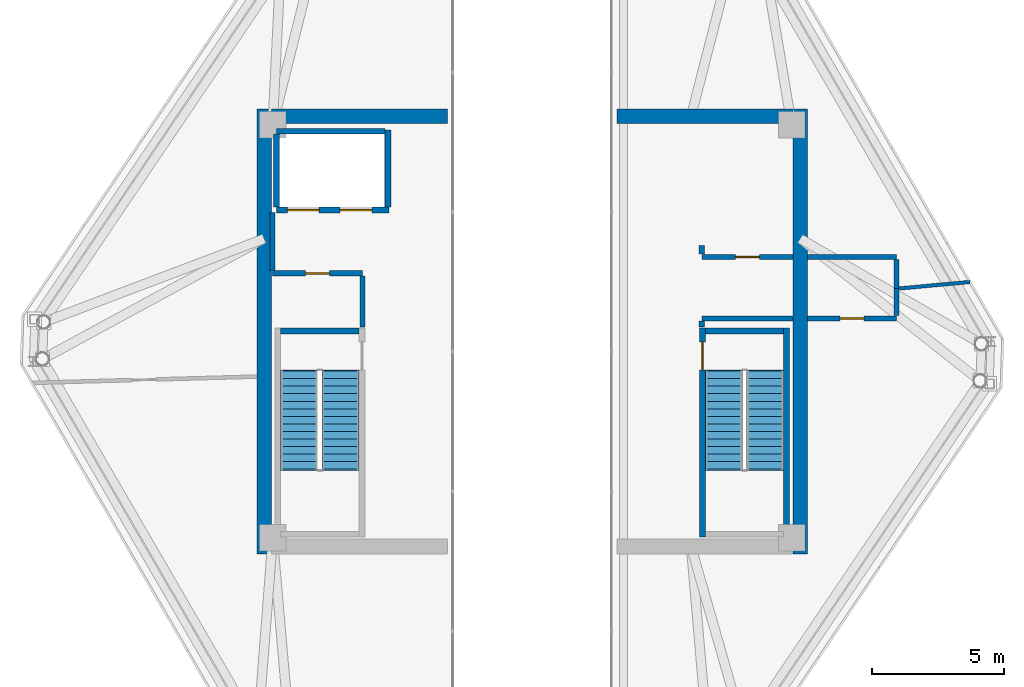
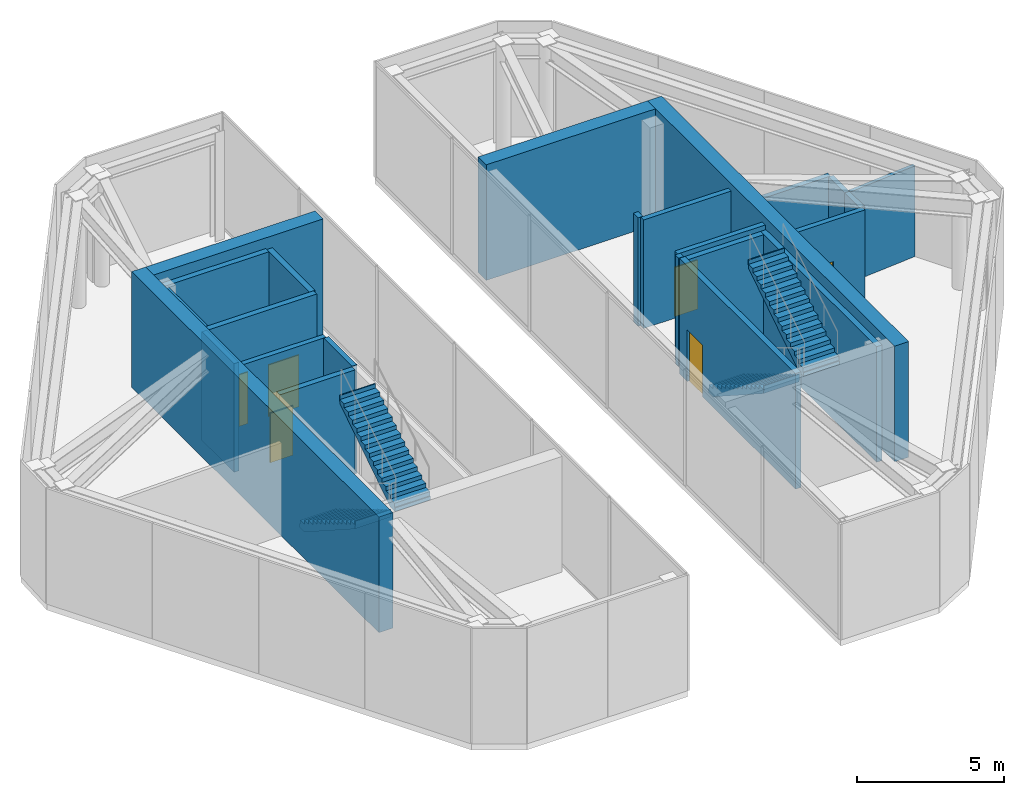
# One storey, part 7 of 8: 24 walls, 6 doors, 4 stair flights, 6 openings, 2 elements without a shape of their own.
"""IFC4 building model written with IfcOpenShell, lengths in metres."""

import ifcopenshell
import ifcopenshell.guid

model = None  # the IFC model being written
_history = None  # IfcOwnerHistory: only IFC2X3 demands one
_inside = {}  # id of a spatial element -> (the spatial element, [elements in it])
_under = {}  # id of a project, library or spatial element -> (it, [spatial elements below it])
_declared = {}  # id of a project -> (the project, [libraries it declares])
_typed = {}  # id of a type object -> (the type object, [elements of that type])
_made_of = {}  # id of a material, layer set ... -> (it, [elements and type objects made of it])


def new_model(schema):
    """Start an empty IFC model of exactly this schema.

    Asked for "IFC4X3", IfcOpenShell would pick the latest addendum, in which some entities
    have other attributes; the version numbers below select the first issue.
    IFC2X3 requires an IfcOwnerHistory on every rooted entity: one is made here for all.
    """
    global model, _history
    if schema == "IFC4X3":
        model = ifcopenshell.file(schema_version=(4, 3, 0, 0))
    else:
        model = ifcopenshell.file(schema=schema)
    _inside.clear()
    _under.clear()
    _declared.clear()
    _typed.clear()
    _made_of.clear()
    _history = None
    if model.schema == "IFC2X3":
        org = make("IfcOrganization", Name="unknown")
        user = make(
            "IfcPersonAndOrganization",
            ThePerson=make("IfcPerson", FamilyName="unknown"),
            TheOrganization=org,
        )
        app = make(
            "IfcApplication",
            ApplicationDeveloper=org,
            Version="unknown",
            ApplicationFullName="unknown",
            ApplicationIdentifier="unknown",
        )
        _history = make(
            "IfcOwnerHistory",
            OwningUser=user,
            OwningApplication=app,
            ChangeAction="ADDED",
            CreationDate=0,
        )
    return model


def make(cls, **values):
    """One entity of the class cls with the attributes given. An attribute that is None is left unset."""
    return model.create_entity(
        cls, **{name: value for name, value in values.items() if value is not None}
    )


def rooted(cls, **values):
    """An entity with a GlobalId (a new one), such as an element, a storey or a relation."""
    return make(cls, GlobalId=ifcopenshell.guid.new(), OwnerHistory=_history, **values)


def si_unit(unit_type, name, prefix=None):
    """IfcSIUnit, for example si_unit("LENGTHUNIT", "METRE", prefix="MILLI")."""
    return make("IfcSIUnit", UnitType=unit_type, Prefix=prefix, Name=name)


def assignment(units):
    """IfcUnitAssignment: the units of a project."""
    return None if units is None else make("IfcUnitAssignment", Units=units)


def point(xyz):
    """IfcCartesianPoint."""
    return None if xyz is None else make("IfcCartesianPoint", Coordinates=xyz)


def direction(xyz):
    """IfcDirection."""
    return None if xyz is None else make("IfcDirection", DirectionRatios=xyz)


def frame(location, z_axis=None, x_axis=None):
    """IfcAxis2Placement3D, a coordinate frame: its origin and axes. An axis left out is left unset."""
    return make(
        "IfcAxis2Placement3D",
        Location=point(location),
        Axis=direction(z_axis),
        RefDirection=direction(x_axis),
    )


def frame_2d(location, x_axis=None):
    """IfcAxis2Placement2D, a coordinate frame in the plane: its origin and x axis."""
    return make(
        "IfcAxis2Placement2D", Location=point(location), RefDirection=direction(x_axis)
    )


def origin():
    """The frame at (0, 0, 0) with its axes left unset."""
    return frame((0.0, 0.0, 0.0))


def place(relative_to, where):
    """IfcLocalPlacement: puts the frame where relative to a parent placement (None: the world)."""
    return make(
        "IfcLocalPlacement", PlacementRelTo=relative_to, RelativePlacement=where
    )


def context(
    kind, dimensions, precision=None, world=None, true_north=None, identifier=None
):
    """IfcGeometricRepresentationContext, for example the 3D "Model" context."""
    return make(
        "IfcGeometricRepresentationContext",
        ContextIdentifier=identifier,
        ContextType=kind,
        CoordinateSpaceDimension=dimensions,
        Precision=precision,
        WorldCoordinateSystem=world,
        TrueNorth=true_north,
    )


def subcontext(parent, identifier, kind, view, scale=None):
    """IfcGeometricRepresentationSubContext, for example "Body" below "Model"."""
    return make(
        "IfcGeometricRepresentationSubContext",
        ContextIdentifier=identifier,
        ContextType=kind,
        ParentContext=parent,
        TargetScale=scale,
        TargetView=view,
    )


def project(units=None, contexts=None):
    """IfcProject with its units and contexts."""
    return rooted(
        "IfcProject",
        Name="project",
        RepresentationContexts=contexts,
        UnitsInContext=assignment(units),
    )


def spatial(cls, under=None, at=None, **own):
    """A site, building, storey or space (cls), placed at a placement, below another one or the project."""
    s = rooted(cls, ObjectPlacement=at, **own)
    if under is not None:
        _under.setdefault(under.id(), (under, []))[1].append(s)
    return s


def polyline(points):
    """IfcPolyline through the points."""
    return make("IfcPolyline", Points=[point(p) for p in points])


def profile(cls, at=None, kind="AREA", **sizes):
    """A parametric profile (cls). Its sizes go by their IFC names, for example OverallWidth=200.0."""
    return make(cls, ProfileType=kind, Position=at, **sizes)


def rectangle(**sizes):
    """IfcRectangleProfileDef."""
    return profile("IfcRectangleProfileDef", **sizes)


def outline(outer, holes=None, kind="AREA"):
    """IfcArbitraryClosedProfileDef: a profile drawn as a closed curve; with holes, ...WithVoids."""
    if holes is None:
        return make("IfcArbitraryClosedProfileDef", ProfileType=kind, OuterCurve=outer)
    return make(
        "IfcArbitraryProfileDefWithVoids",
        ProfileType=kind,
        OuterCurve=outer,
        InnerCurves=holes,
    )


def extrude(swept, where, along, depth):
    """IfcExtrudedAreaSolid: the profile swept, set in the frame where, extruded along a direction by depth."""
    return make(
        "IfcExtrudedAreaSolid",
        SweptArea=swept,
        Position=where,
        ExtrudedDirection=direction(along),
        Depth=depth,
    )


def shape(context_of_items, identifier, shape_type, items):
    """IfcShapeRepresentation: the items that make up one representation, for example the "Body"."""
    return make(
        "IfcShapeRepresentation",
        ContextOfItems=context_of_items,
        RepresentationIdentifier=identifier,
        RepresentationType=shape_type,
        Items=items,
    )


def source(mapping_origin, context_of_items, identifier, shape_type, items):
    """IfcRepresentationMap: a shape defined once, which mapped items show again and again."""
    return make(
        "IfcRepresentationMap",
        MappingOrigin=mapping_origin,
        MappedRepresentation=shape(context_of_items, identifier, shape_type, items),
    )


def transform(
    local_origin,
    x_axis=None,
    y_axis=None,
    z_axis=None,
    scale=None,
    scale2=None,
    scale3=None,
    uniform=True,
):
    """IfcCartesianTransformationOperator3D, or its non-uniform kind. x_axis, y_axis, z_axis: its Axis1, 2, 3."""
    if uniform:
        return make(
            "IfcCartesianTransformationOperator3D",
            Axis1=direction(x_axis),
            Axis2=direction(y_axis),
            LocalOrigin=point(local_origin),
            Scale=scale,
            Axis3=direction(z_axis),
        )
    return make(
        "IfcCartesianTransformationOperator3DnonUniform",
        Axis1=direction(x_axis),
        Axis2=direction(y_axis),
        LocalOrigin=point(local_origin),
        Scale=scale,
        Axis3=direction(z_axis),
        Scale2=scale2,
        Scale3=scale3,
    )


def mapped(mapping_source, mapping_target):
    """IfcMappedItem: shows the shape of a source again, moved by a transform."""
    return make(
        "IfcMappedItem", MappingSource=mapping_source, MappingTarget=mapping_target
    )


def material(Name=None, Category=None):
    """IfcMaterial."""
    return make("IfcMaterial", Name=Name, Category=Category)


def layer(
    of_material, thickness, ventilated=None, Name=None, Category=None, Priority=None
):
    """IfcMaterialLayer: one layer of a wall or slab, of a material (None: an air gap)."""
    return make(
        "IfcMaterialLayer",
        Material=of_material,
        LayerThickness=thickness,
        IsVentilated=ventilated,
        Name=Name,
        Category=Category,
        Priority=Priority,
    )


def layer_set(layers, Name=None):
    """IfcMaterialLayerSet."""
    return make("IfcMaterialLayerSet", MaterialLayers=layers, LayerSetName=Name)


def made_of(thing, what):
    """Note that an element or type object is made of a material, layer set ...; save() writes the relation."""
    if what is not None:
        _made_of.setdefault(what.id(), (what, []))[1].append(thing)
    return thing


def type_object(cls, material=None, **own):
    """A type object (cls), such as IfcWallType, which elements share."""
    return made_of(rooted(cls, **own), material)


def type_shapes(of_type, sources):
    """Give a type object the sources (RepresentationMaps) that its elements show as mapped items."""
    of_type.RepresentationMaps = sources


def element(
    cls,
    number,
    at=None,
    inside=None,
    cuts=None,
    type_object=None,
    material=None,
    context=None,
    identifier="Body",
    shape_type=None,
    held_by="IfcProductDefinitionShape",
    body=None,
    shapes=None,
    **own,
):
    """One element of the class cls, such as IfcWall. Its Tag is "e" and its number.

    at: its placement. inside: the storey or other place that contains it. cuts: it is an
    opening in that element (IfcRelVoidsElement). A single representation is given by context,
    identifier, shape_type and body (its items); several are given by shapes. held_by: the class
    of the entity that holds the representations. save() writes the other relations.
    """
    e = rooted(cls, Tag="e%d" % number, ObjectPlacement=at, **own)
    if body is not None:
        shapes = [shape(context, identifier, shape_type, body)]
    if shapes is not None:
        e.Representation = make(held_by, Representations=shapes)
    if inside is not None:
        _inside.setdefault(inside.id(), (inside, []))[1].append(e)
    if cuts is not None:
        rooted(
            "IfcRelVoidsElement", RelatingBuildingElement=cuts, RelatedOpeningElement=e
        )
    if type_object is not None:
        _typed.setdefault(type_object.id(), (type_object, []))[1].append(e)
    return made_of(e, material)


def fill(opening, filler):
    """IfcRelFillsElement: the door or window that sits in an opening."""
    return rooted(
        "IfcRelFillsElement",
        RelatingOpeningElement=opening,
        RelatedBuildingElement=filler,
    )


def aggregate(whole, parts):
    """IfcRelAggregates: a whole, such as a stair, and the parts it consists of."""
    return rooted("IfcRelAggregates", RelatingObject=whole, RelatedObjects=parts)


def save(model, path):
    """Write the relations noted so far, then the file.

    IfcRelAggregates (storeys below a building ...), IfcRelContainedInSpatialStructure (elements
    in a storey), IfcRelDefinesByType, IfcRelAssociatesMaterial and IfcRelDeclares: one each for
    every whole, place, type object, material and project.
    """
    for whole, parts in _under.values():
        aggregate(whole, parts)
    for where, things in _inside.values():
        rooted(
            "IfcRelContainedInSpatialStructure",
            RelatedElements=things,
            RelatingStructure=where,
        )
    for kind, things in _typed.values():
        rooted("IfcRelDefinesByType", RelatedObjects=things, RelatingType=kind)
    for what, things in _made_of.values():
        rooted("IfcRelAssociatesMaterial", RelatedObjects=things, RelatingMaterial=what)
    for by, libraries in _declared.values():
        rooted("IfcRelDeclares", RelatingContext=by, RelatedDefinitions=libraries)
    model.write(path)


model = new_model("IFC4")

# Units and contexts
model_context = context("Model", 3, precision=1e-05, world=origin(), true_north=direction((0.0, 1.0)))
body_context = subcontext(model_context, "Body", "Model", "MODEL_VIEW")
ifc_project = project(units=[si_unit("LENGTHUNIT", "METRE"), si_unit("AREAUNIT", "SQUARE_METRE"), si_unit("VOLUMEUNIT", "CUBIC_METRE"), si_unit("PLANEANGLEUNIT", "RADIAN"), si_unit("MASSUNIT", "GRAM", prefix="KILO")], contexts=[model_context])

# Site, building, storey
site_placement = place(None, origin())
site = spatial("IfcSite", under=ifc_project, at=site_placement, CompositionType="ELEMENT")
building_placement = place(site_placement, origin())
building = spatial("IfcBuilding", under=site, at=building_placement, Name="Durnholm Broadcast Tower", CompositionType="ELEMENT")
storey_placement = place(building_placement, frame((0.0, 0.0, 277.300048828125)))
storey = spatial("IfcBuildingStorey", under=building, at=storey_placement, Name="L77", CompositionType="ELEMENT", Elevation=277.300048828125)

# Walls
ifc_material_1 = material(Name="Concrete C70/85", Category="concrete")
ifc_layer_1 = layer(ifc_material_1, 0.550048828125)
ifc_layer_set_1 = layer_set([ifc_layer_1], Name="Concrete C70/85")
wall_type_1 = type_object("IfcWallType", Name="WALL-CW-550", PredefinedType="SHEAR", material=ifc_layer_set_1)
for number, where, z_axis, x_axis, name in (
    (1, (-10.125, -8.39990234375, 0.0), (0.0, 0.0, 1.0), (0.0, 1.0, 0.0), "L77 split-crown core shear wall WCW-W"),
    (2, (10.125, -8.39990234375, 0.0), (0.0, 0.0, 1.0), (0.0, 1.0, 0.0), "L77 split-crown core shear wall WCW-E"),
):
    element("IfcWall", number, at=place(storey_placement, frame(where, z_axis=z_axis, x_axis=x_axis)), inside=storey, type_object=wall_type_1, Name=name, PredefinedType="SHEAR", context=body_context, shape_type="SweptSolid", body=[
        extrude(rectangle(XDim=16.7998046875, YDim=0.550048828125, at=frame_2d((8.39990234375, 0.0))), origin(), (0.0, 0.0, 1.0), 4.800048828125),
    ])
for number, where, z_axis, x_axis, name in (
    (3, (-9.85009765625, 8.125, 0.0), (0.0, 0.0, 1.0), (1.0, 0.0, 0.0), "L77 split-crown core shear wall WCW-NW"),
    (4, (3.199951171875, 8.125, 0.0), (0.0, 0.0, 1.0), (1.0, 0.0, 0.0), "L77 split-crown core shear wall WCW-NE"),
):
    element("IfcWall", number, at=place(storey_placement, frame(where, z_axis=z_axis, x_axis=x_axis)), inside=storey, type_object=wall_type_1, Name=name, PredefinedType="SHEAR", context=body_context, shape_type="SweptSolid", body=[
        extrude(rectangle(XDim=6.650146484375, YDim=0.550048828125, at=frame_2d((3.3251953125, 0.0))), origin(), (0.0, 0.0, 1.0), 4.800048828125),
    ])

# Wall, opening, door
ifc_material_2 = material(Name="Fire-Rated Gypsum Shaftwall", Category="concrete")
ifc_layer_2 = layer(ifc_material_2, 0.199951171875)
ifc_layer_set_2 = layer_set([ifc_layer_2], Name="Fire-Rated Gypsum Shaftwall")
wall_type_2 = type_object("IfcWallType", Name="WALL-LOB-200", PredefinedType="SOLIDWALL", material=ifc_layer_set_2)
wall_1_placement = place(storey_placement, frame((-9.81005859375, 2.18994140625, 0.0), z_axis=(0.0, 0.0, 1.0), x_axis=(1.0, 0.0, 0.0)))
wall_1 = element("IfcWall", 5, at=wall_1_placement, inside=storey, type_object=wall_type_2, Name="L77 Crown Chiller and Heat Rejection Plant corridor partition", PredefinedType="SOLIDWALL", context=body_context, shape_type="SweptSolid", body=[
    extrude(rectangle(XDim=3.400146484375, YDim=0.199951171875, at=frame_2d((1.7001953125, 0.0))), origin(), (0.0, 0.0, 1.0), 4.5048828125),
])
opening_1_placement = place(wall_1_placement, frame((1.25, 0.0, 0.0)))
opening_1 = element("IfcOpeningElement", 6, at=opening_1_placement, cuts=wall_1, Name="Opening DC-60L", PredefinedType="OPENING", context=body_context, shape_type="SweptSolid", body=[
    extrude(rectangle(XDim=0.89990234375, YDim=2.050048828125, at=frame_2d((0.449951171875, 1.02490234375))), frame((0.0, 0.10986328125, 0.0), z_axis=(0.0, -1.0, 0.0), x_axis=(1.0, 0.0, 0.0)), (0.0, 0.0, 1.0), 0.219970703125),
])
ifc_material_3 = material(Name="Fire-Rated Core Service Door", Category="steel")
ifc_layer_3 = layer(ifc_material_3, 0.050048828125)
ifc_layer_set_3 = layer_set([ifc_layer_3], Name="Fire-Rated Core Service Door")
door_type_1 = type_object("IfcDoorType", Name="DOOR-CORE-FD60-L", OperationType="NOTDEFINED", PredefinedType="DOOR", material=ifc_layer_set_3)
shared_shape_1 = source(origin(), body_context, "Body", "SweptSolid", [
    extrude(rectangle(XDim=0.89990234375, YDim=2.050048828125, at=frame_2d((0.449951171875, 1.02490234375))), frame((0.0, 0.02490234375, 0.0), z_axis=(0.0, -1.0, 0.0), x_axis=(1.0, 0.0, 0.0)), (0.0, 0.0, 1.0), 0.050048828125),
])
type_shapes(door_type_1, [shared_shape_1])
door_1_placement = place(opening_1_placement, origin())
door_1 = element("IfcDoor", 7, at=door_1_placement, inside=storey, type_object=door_type_1, Name="L77 Crown Chiller and Heat Rejection Plant entrance door", OperationType="SINGLE_SWING_LEFT", OverallHeight=2.050048828125, OverallWidth=0.89990234375, PredefinedType="DOOR", context=body_context, shape_type="MappedRepresentation", body=[
    mapped(shared_shape_1, transform((0.0, 0.0, 0.0), x_axis=(1.0, 0.0, 0.0), y_axis=(0.0, 1.0, 0.0), z_axis=(0.0, 0.0, 1.0), scale=1.0)),
])
fill(opening_1, door_1)

# Walls
wall_2_placement = place(storey_placement, frame((-9.81005859375, 4.489990234375, 0.0), z_axis=(0.0, 0.0, 1.0), x_axis=(0.0, -1.0, 0.0)))
element("IfcWall", 8, at=wall_2_placement, inside=storey, type_object=wall_type_2, Name="L77 Crown Chiller and Heat Rejection Plant corridor partition", PredefinedType="SOLIDWALL", context=body_context, shape_type="SweptSolid", body=[
    extrude(rectangle(XDim=2.196044921875, YDim=0.199951171875, at=frame_2d((1.09814453125, 0.0))), origin(), (0.0, 0.0, 1.0), 4.5048828125),
])
wall_3_placement = place(storey_placement, frame((-6.409912109375, 2.0859375, 0.0), z_axis=(0.0, 0.0, 1.0), x_axis=(0.0, -1.0, 0.0)))
element("IfcWall", 9, at=wall_3_placement, inside=storey, type_object=wall_type_2, Name="L77 Crown Chiller and Heat Rejection Plant corridor partition", PredefinedType="SOLIDWALL", context=body_context, shape_type="SweptSolid", body=[
    extrude(rectangle(XDim=1.926025390625, YDim=0.199951171875, at=frame_2d((0.962890625, 0.0))), origin(), (0.0, 0.0, 1.0), 4.5048828125),
])
wall_4_placement = place(storey_placement, frame((13.760009765625, 2.81005859375, 0.0), z_axis=(0.0, 0.0, 1.0), x_axis=(-1.0, 0.0, 0.0)))
element("IfcWall", 10, at=wall_4_placement, inside=storey, type_object=wall_type_2, Name="L77 Crown Electrical Switchgear Plant corridor partition", PredefinedType="SOLIDWALL", context=body_context, shape_type="SweptSolid", body=[
    extrude(rectangle(XDim=3.35498046875, YDim=0.199951171875, at=frame_2d((1.677490234375, 0.0))), origin(), (0.0, 0.0, 1.0), 3.76123046875),
])

# Wall, opening, door
wall_5_placement = place(storey_placement, frame((9.844970703125, 2.81005859375, 0.0), z_axis=(0.0, 0.0, 1.0), x_axis=(-1.0, 0.0, 0.0)))
wall_5 = element("IfcWall", 11, at=wall_5_placement, inside=storey, type_object=wall_type_2, Name="L77 Crown Electrical Switchgear Plant corridor partition", PredefinedType="SOLIDWALL", context=body_context, shape_type="SweptSolid", body=[
    extrude(rectangle(XDim=3.43505859375, YDim=0.199951171875, at=frame_2d((1.717529296875, 0.0))), origin(), (0.0, 0.0, 1.0), 4.5048828125),
])
opening_2_placement = place(wall_5_placement, frame((1.267578125, 0.0, 0.0)))
opening_2 = element("IfcOpeningElement", 12, at=opening_2_placement, cuts=wall_5, Name="Opening DC-60R", PredefinedType="OPENING", context=body_context, shape_type="SweptSolid", body=[
    extrude(rectangle(XDim=0.89990234375, YDim=2.050048828125, at=frame_2d((0.449951171875, 1.02490234375))), frame((0.0, 0.10986328125, 0.0), z_axis=(0.0, -1.0, 0.0), x_axis=(1.0, 0.0, 0.0)), (0.0, 0.0, 1.0), 0.219970703125),
])
ifc_layer_4 = layer(ifc_material_3, 0.050048828125)
ifc_layer_set_4 = layer_set([ifc_layer_4], Name="Fire-Rated Core Service Door")
door_type_2 = type_object("IfcDoorType", Name="DOOR-CORE-FD60-R", OperationType="NOTDEFINED", PredefinedType="DOOR", material=ifc_layer_set_4)
shared_shape_2 = source(origin(), body_context, "Body", "SweptSolid", [
    extrude(rectangle(XDim=0.89990234375, YDim=2.050048828125, at=frame_2d((0.449951171875, 1.02490234375))), frame((0.0, 0.02490234375, 0.0), z_axis=(0.0, -1.0, 0.0), x_axis=(1.0, 0.0, 0.0)), (0.0, 0.0, 1.0), 0.050048828125),
])
type_shapes(door_type_2, [shared_shape_2])
door_2_placement = place(opening_2_placement, origin())
door_2 = element("IfcDoor", 13, at=door_2_placement, inside=storey, type_object=door_type_2, Name="L77 Crown Electrical Switchgear Plant entrance door", OperationType="SINGLE_SWING_RIGHT", OverallHeight=2.050048828125, OverallWidth=0.89990234375, PredefinedType="DOOR", context=body_context, shape_type="MappedRepresentation", body=[
    mapped(shared_shape_2, transform((0.0, 0.0, 0.0), x_axis=(1.0, 0.0, 0.0), y_axis=(0.0, 1.0, 0.0), z_axis=(0.0, 0.0, 1.0), scale=1.0)),
])
fill(opening_2, door_2)

# Walls
wall_6_placement = place(storey_placement, frame((13.760009765625, 1.610107421875, 0.0), z_axis=(0.0, 0.0, 1.0), x_axis=(0.0, 1.0, 0.0)))
element("IfcWall", 14, at=wall_6_placement, inside=storey, type_object=wall_type_2, Name="L77 Crown Electrical Switchgear Plant corridor partition", PredefinedType="SOLIDWALL", context=body_context, shape_type="SweptSolid", body=[
    extrude(rectangle(XDim=1.095947265625, YDim=0.199951171875, at=frame_2d((0.5478515625, 0.0))), origin(), (0.0, 0.0, 1.0), 3.76123046875),
])
wall_7_placement = place(storey_placement, frame((6.409912109375, 2.9140625, 0.0), z_axis=(0.0, 0.0, 1.0), x_axis=(0.0, 1.0, 0.0)))
element("IfcWall", 15, at=wall_7_placement, inside=storey, type_object=wall_type_2, Name="L77 Crown Electrical Switchgear Plant corridor partition", PredefinedType="SOLIDWALL", context=body_context, shape_type="SweptSolid", body=[
    extrude(rectangle(XDim=0.325927734375, YDim=0.199951171875, at=frame_2d((0.1630859375, 0.0))), origin(), (0.0, 0.0, 1.0), 4.5048828125),
])
wall_8_placement = place(storey_placement, frame((6.409912109375, 0.489990234375, 0.0), z_axis=(0.0, 0.0, 1.0), x_axis=(1.0, 0.0, 0.0)))
element("IfcWall", 16, at=wall_8_placement, inside=storey, type_object=wall_type_2, Name="L77 Crown Telecom Cooling Plant corridor partition", PredefinedType="SOLIDWALL", context=body_context, shape_type="SweptSolid", body=[
    extrude(rectangle(XDim=3.43505859375, YDim=0.199951171875, at=frame_2d((1.717529296875, 0.0))), origin(), (0.0, 0.0, 1.0), 4.5048828125),
])

# Wall, opening, door
wall_9_placement = place(storey_placement, frame((10.405029296875, 0.489990234375, 0.0), z_axis=(0.0, 0.0, 1.0), x_axis=(1.0, 0.0, 0.0)))
wall_9 = element("IfcWall", 17, at=wall_9_placement, inside=storey, type_object=wall_type_2, Name="L77 Crown Telecom Cooling Plant corridor partition", PredefinedType="SOLIDWALL", context=body_context, shape_type="SweptSolid", body=[
    extrude(rectangle(XDim=3.35498046875, YDim=0.199951171875, at=frame_2d((1.677490234375, 0.0))), origin(), (0.0, 0.0, 1.0), 3.76123046875),
])
opening_3_placement = place(wall_9_placement, frame((1.2275390625, 0.0, 0.0)))
opening_3 = element("IfcOpeningElement", 18, at=opening_3_placement, cuts=wall_9, Name="Opening DC-60R", PredefinedType="OPENING", context=body_context, shape_type="SweptSolid", body=[
    extrude(rectangle(XDim=0.89990234375, YDim=2.050048828125, at=frame_2d((0.449951171875, 1.02490234375))), frame((0.0, 0.10986328125, 0.0), z_axis=(0.0, -1.0, 0.0), x_axis=(1.0, 0.0, 0.0)), (0.0, 0.0, 1.0), 0.219970703125),
])
door_3_placement = place(opening_3_placement, origin())
door_3 = element("IfcDoor", 19, at=door_3_placement, inside=storey, type_object=door_type_2, Name="L77 Crown Telecom Cooling Plant entrance door", OperationType="SINGLE_SWING_RIGHT", OverallHeight=2.050048828125, OverallWidth=0.89990234375, PredefinedType="DOOR", context=body_context, shape_type="MappedRepresentation", body=[
    mapped(shared_shape_2, transform((0.0, 0.0, 0.0), x_axis=(1.0, 0.0, 0.0), y_axis=(0.0, 1.0, 0.0), z_axis=(0.0, 0.0, 1.0), scale=1.0)),
])
fill(opening_3, door_3)

# Walls
wall_10_placement = place(storey_placement, frame((13.760009765625, 0.593994140625, 0.0), z_axis=(0.0, 0.0, 1.0), x_axis=(0.0, 1.0, 0.0)))
element("IfcWall", 20, at=wall_10_placement, inside=storey, type_object=wall_type_2, Name="L77 Crown Telecom Cooling Plant corridor partition", PredefinedType="SOLIDWALL", context=body_context, shape_type="SweptSolid", body=[
    extrude(rectangle(XDim=1.01611328125, YDim=0.199951171875, at=frame_2d((0.508056640625, 0.0))), origin(), (0.0, 0.0, 1.0), 3.76123046875),
])
wall_11_placement = place(storey_placement, frame((6.409912109375, 0.159912109375, 0.0), z_axis=(0.0, 0.0, 1.0), x_axis=(0.0, 1.0, 0.0)))
element("IfcWall", 21, at=wall_11_placement, inside=storey, type_object=wall_type_2, Name="L77 Crown Telecom Cooling Plant corridor partition", PredefinedType="SOLIDWALL", context=body_context, shape_type="SweptSolid", body=[
    extrude(rectangle(XDim=0.22607421875, YDim=0.199951171875, at=frame_2d((0.113037109375, 0.0))), origin(), (0.0, 0.0, 1.0), 4.5048828125),
])
ifc_material_4 = material(Name="Gypsum Metal Stud Partition", Category="concrete")
ifc_layer_5 = layer(ifc_material_4, 0.135009765625)
ifc_layer_set_5 = layer_set([ifc_layer_5], Name="Gypsum Metal Stud Partition")
wall_type_3 = type_object("IfcWallType", Name="WALL-PART-135", PredefinedType="PARTITIONING", material=ifc_layer_set_5)
wall_12_placement = place(storey_placement, frame((16.535888671875, 1.865966796875, 0.0), z_axis=(0.0, 0.0, 1.0), x_axis=(-0.995776794664, -0.091807272096, 0.0)))
element("IfcWall", 22, at=wall_12_placement, inside=storey, type_object=wall_type_3, Name="L77 room dividing partition 3.4", PredefinedType="PARTITIONING", context=body_context, shape_type="SweptSolid", body=[
    extrude(rectangle(XDim=2.68310546875, YDim=0.135009765625, at=frame_2d((1.341552734375, 0.0))), origin(), (0.0, 0.0, 1.0), 3.76123046875),
])

# Wall, openings, doors
ifc_material_5 = material(Name="Concrete Blockwork C30/37", Category="masonry")
ifc_layer_6 = layer(ifc_material_5, 0.219970703125)
ifc_layer_set_6 = layer_set([ifc_layer_6], Name="Concrete Blockwork C30/37")
wall_type_4 = type_object("IfcWallType", Name="WALL-SHAFT-220", PredefinedType="SOLIDWALL", material=ifc_layer_set_6)
wall_13_placement = place(storey_placement, frame((-9.659912109375, 4.580078125, 0.0), z_axis=(0.0, 0.0, 1.0), x_axis=(1.0, 0.0, 0.0)))
wall_13 = element("IfcWall", 23, at=wall_13_placement, inside=storey, type_object=wall_type_4, Name="L77 crown FSAE hoistway front wall", PredefinedType="SOLIDWALL", context=body_context, shape_type="SweptSolid", body=[
    extrude(rectangle(XDim=4.260009765625, YDim=0.219970703125, at=frame_2d((2.1298828125, 0.0))), origin(), (0.0, 0.0, 1.0), 4.5048828125),
])
opening_4_placement = place(wall_13_placement, frame((0.409912109375, 0.0, 0.0)))
opening_4 = element("IfcOpeningElement", 24, at=opening_4_placement, cuts=wall_13, Name="Opening LD-FSAE-2", PredefinedType="OPENING", context=body_context, shape_type="SweptSolid", body=[
    extrude(rectangle(XDim=1.199951171875, YDim=2.14990234375, at=frame_2d((0.60009765625, 1.074951171875))), frame((0.0, 0.1201171875, 0.0), z_axis=(0.0, -1.0, 0.0), x_axis=(1.0, 0.0, 0.0)), (0.0, 0.0, 1.0), 0.239990234375),
])
opening_5_placement = place(wall_13_placement, frame((2.409912109375, 0.0, 0.0)))
opening_5 = element("IfcOpeningElement", 25, at=opening_5_placement, cuts=wall_13, Name="Opening LD-FSAE-1", PredefinedType="OPENING", context=body_context, shape_type="SweptSolid", body=[
    extrude(rectangle(XDim=1.199951171875, YDim=2.14990234375, at=frame_2d((0.60009765625, 1.074951171875))), frame((0.0, 0.1201171875, 0.0), z_axis=(0.0, -1.0, 0.0), x_axis=(1.0, 0.0, 0.0)), (0.0, 0.0, 1.0), 0.239990234375),
])
ifc_material_6 = material(Name="Fire Service Access Sliding Landing Door", Category="steel")
ifc_layer_7 = layer(ifc_material_6, 0.050048828125)
ifc_layer_set_7 = layer_set([ifc_layer_7], Name="Fire Service Access Sliding Landing Door")
door_type_3 = type_object("IfcDoorType", Name="DOOR-LIFT-FSAE", OperationType="DOUBLE_DOOR_SLIDING", PredefinedType="DOOR", material=ifc_layer_set_7)
shared_shape_3 = source(origin(), body_context, "Body", "SweptSolid", [
    extrude(rectangle(XDim=1.199951171875, YDim=2.14990234375, at=frame_2d((0.60009765625, 1.074951171875))), frame((0.0, 0.02490234375, 0.0), z_axis=(0.0, -1.0, 0.0), x_axis=(1.0, 0.0, 0.0)), (0.0, 0.0, 1.0), 0.050048828125),
])
type_shapes(door_type_3, [shared_shape_3])
door_4_placement = place(opening_4_placement, origin())
door_4 = element("IfcDoor", 26, at=door_4_placement, inside=storey, type_object=door_type_3, Name="L77 crown Fire Service Access Elevator FSAE-2 sliding landing door", OperationType="DOUBLE_DOOR_SLIDING", OverallHeight=2.14990234375, OverallWidth=1.199951171875, PredefinedType="DOOR", context=body_context, shape_type="MappedRepresentation", body=[
    mapped(shared_shape_3, transform((0.0, 0.0, 0.0), x_axis=(1.0, 0.0, 0.0), y_axis=(0.0, 1.0, 0.0), z_axis=(0.0, 0.0, 1.0), scale=1.0)),
])
fill(opening_4, door_4)
door_5_placement = place(opening_5_placement, origin())
door_5 = element("IfcDoor", 27, at=door_5_placement, inside=storey, type_object=door_type_3, Name="L77 crown Fire Service Access Elevator FSAE-1 sliding landing door", OperationType="DOUBLE_DOOR_SLIDING", OverallHeight=2.14990234375, OverallWidth=1.199951171875, PredefinedType="DOOR", context=body_context, shape_type="MappedRepresentation", body=[
    mapped(shared_shape_3, transform((0.0, 0.0, 0.0), x_axis=(1.0, 0.0, 0.0), y_axis=(0.0, 1.0, 0.0), z_axis=(0.0, 0.0, 1.0), scale=1.0)),
])
fill(opening_5, door_5)

# Walls
wall_14_placement = place(storey_placement, frame((-5.449951171875, 4.694091796875, 0.0), z_axis=(0.0, 0.0, 1.0), x_axis=(0.0, 1.0, 0.0)))
element("IfcWall", 28, at=wall_14_placement, inside=storey, type_object=wall_type_4, Name="L77 crown FSAE east shaft wall", PredefinedType="SOLIDWALL", context=body_context, shape_type="SweptSolid", body=[
    extrude(rectangle(XDim=2.906005859375, YDim=0.219970703125, at=frame_2d((1.453125, 0.0))), origin(), (0.0, 0.0, 1.0), 4.5048828125),
])
wall_15_placement = place(storey_placement, frame((-9.659912109375, 7.56005859375, 0.0), z_axis=(0.0, 0.0, 1.0), x_axis=(1.0, 0.0, 0.0)))
element("IfcWall", 29, at=wall_15_placement, inside=storey, type_object=wall_type_4, Name="L77 crown FSAE north shaft wall", PredefinedType="SOLIDWALL", context=body_context, shape_type="SweptSolid", body=[
    extrude(rectangle(XDim=4.095947265625, YDim=0.219970703125, at=frame_2d((2.0478515625, 0.0))), origin(), (0.0, 0.0, 1.0), 4.5048828125),
])
wall_16_placement = place(storey_placement, frame((-9.659912109375, 4.694091796875, 0.0), z_axis=(0.0, 0.0, 1.0), x_axis=(0.0, 1.0, 0.0)))
element("IfcWall", 30, at=wall_16_placement, inside=storey, type_object=wall_type_4, Name="L77 crown FSAE west shaft wall", PredefinedType="SOLIDWALL", context=body_context, shape_type="SweptSolid", body=[
    extrude(rectangle(XDim=2.751953125, YDim=0.219970703125, at=frame_2d((1.3759765625, 0.0))), origin(), (0.0, 0.0, 1.0), 4.5048828125),
])
ifc_material_7 = material(Name="Concrete C50/60", Category="concrete")
ifc_layer_8 = layer(ifc_material_7, 0.219970703125)
ifc_layer_set_8 = layer_set([ifc_layer_8], Name="Concrete C50/60")
wall_type_5 = type_object("IfcWallType", Name="WALL-SW-220", PredefinedType="SHEAR", material=ifc_layer_set_8)
wall_17_placement = place(storey_placement, frame((-6.5400390625, 0.010009765625, -0.280029296875), z_axis=(0.0, 0.0, 1.0), x_axis=(-1.0, 0.0, 0.0)))
element("IfcWall", 31, at=wall_17_placement, inside=storey, type_object=wall_type_5, Name="L77 stair ST-1 structural shaft wall N", PredefinedType="SHEAR", context=body_context, shape_type="SweptSolid", body=[
    extrude(rectangle(XDim=2.9599609375, YDim=0.219970703125, at=frame_2d((1.47998046875, 0.0))), origin(), (0.0, 0.0, 1.0), 4.800048828125),
])
wall_18_placement = place(storey_placement, frame((9.610107421875, -7.77001953125, -0.280029296875), z_axis=(0.0, 0.0, 1.0), x_axis=(0.0, 1.0, 0.0)))
element("IfcWall", 32, at=wall_18_placement, inside=storey, type_object=wall_type_5, Name="L77 stair ST-2 structural shaft wall E", PredefinedType="SHEAR", context=body_context, shape_type="SweptSolid", body=[
    extrude(rectangle(XDim=7.89013671875, YDim=0.219970703125, at=frame_2d((3.945068359375, 0.0))), origin(), (0.0, 0.0, 1.0), 4.800048828125),
])

# Wall, opening, door
wall_19_placement = place(storey_placement, frame((6.429931640625, 0.1201171875, -0.280029296875), z_axis=(0.0, 0.0, 1.0), x_axis=(0.0, -1.0, 0.0)))
wall_19 = element("IfcWall", 33, at=wall_19_placement, inside=storey, type_object=wall_type_5, Name="L77 stair ST-2 structural shaft wall W", PredefinedType="SHEAR", context=body_context, shape_type="SweptSolid", body=[
    extrude(rectangle(XDim=7.89013671875, YDim=0.219970703125, at=frame_2d((3.945068359375, 0.0))), origin(), (0.0, 0.0, 1.0), 4.800048828125),
])
opening_6_placement = place(wall_19_placement, frame((0.52001953125, 0.0, 0.0)))
opening_6 = element("IfcOpeningElement", 34, at=opening_6_placement, cuts=wall_19, Name="Opening DS-90R", PredefinedType="OPENING", context=body_context, shape_type="SweptSolid", body=[
    extrude(rectangle(XDim=1.050048828125, YDim=2.14990234375, at=frame_2d((0.52490234375, 1.074951171875))), frame((0.0, 0.1201171875, 0.0), z_axis=(0.0, -1.0, 0.0), x_axis=(1.0, 0.0, 0.0)), (0.0, 0.0, 1.0), 0.239990234375),
])
ifc_material_8 = material(Name="Fire-Rated Steel Door", Category="steel")
ifc_layer_9 = layer(ifc_material_8, 0.050048828125)
ifc_layer_set_9 = layer_set([ifc_layer_9], Name="Fire-Rated Steel Door")
door_type_4 = type_object("IfcDoorType", Name="DOOR-ST-FD90-R", OperationType="NOTDEFINED", PredefinedType="DOOR", material=ifc_layer_set_9)
shared_shape_4 = source(origin(), body_context, "Body", "SweptSolid", [
    extrude(rectangle(XDim=1.050048828125, YDim=2.14990234375, at=frame_2d((0.52490234375, 1.074951171875))), frame((0.0, 0.02490234375, 0.0), z_axis=(0.0, -1.0, 0.0), x_axis=(1.0, 0.0, 0.0)), (0.0, 0.0, 1.0), 0.050048828125),
])
type_shapes(door_type_4, [shared_shape_4])
door_6_placement = place(opening_6_placement, origin())
door_6 = element("IfcDoor", 35, at=door_6_placement, inside=storey, type_object=door_type_4, Name="L77 exit stair ST-2 fire door", OperationType="SINGLE_SWING_RIGHT", OverallHeight=2.14990234375, OverallWidth=1.050048828125, PredefinedType="DOOR", context=body_context, shape_type="MappedRepresentation", body=[
    mapped(shared_shape_4, transform((0.0, 0.0, 0.0), x_axis=(1.0, 0.0, 0.0), y_axis=(0.0, 1.0, 0.0), z_axis=(0.0, 0.0, 1.0), scale=1.0)),
])
fill(opening_6, door_6)

# Wall
wall_20_placement = place(storey_placement, frame((9.5, 0.010009765625, -0.280029296875), z_axis=(0.0, 0.0, 1.0), x_axis=(-1.0, 0.0, 0.0)))
element("IfcWall", 36, at=wall_20_placement, inside=storey, type_object=wall_type_5, Name="L77 stair ST-2 structural shaft wall N", PredefinedType="SHEAR", context=body_context, shape_type="SweptSolid", body=[
    extrude(rectangle(XDim=2.9599609375, YDim=0.219970703125, at=frame_2d((1.47998046875, 0.0))), origin(), (0.0, 0.0, 1.0), 4.800048828125),
])

# Stair, stair flights
stair_type = type_object("IfcStairType", Name="STAIR-DL-28R1714", PredefinedType="HALF_TURN_STAIR", material=ifc_material_7)
stair_1_placement = place(storey_placement, origin())
stair_1 = element("IfcStair", 37, at=stair_1_placement, inside=storey, type_object=stair_type, Name="L77 ST-1", PredefinedType="HALF_TURN_STAIR")
stair_flight_type = type_object("IfcStairFlightType", Name="FLIGHT-DL-28R1714", PredefinedType="STRAIGHT", material=ifc_material_7)
stair_flight_1_placement = place(storey_placement, frame((-8.800048828125, -1.5, 0.0), z_axis=(0.0, 0.0, 1.0), x_axis=(0.0, -1.0, 0.0)))
stair_flight_1 = element("IfcStairFlight", 38, at=stair_flight_1_placement, type_object=stair_flight_type, Name="ST-1 flight 1", NumberOfRisers=14, NumberOfTreads=13, PredefinedType="STRAIGHT", RiserHeight=0.171428571, TreadLength=0.285, context=body_context, shape_type="SweptSolid", body=[
    extrude(outline(polyline([(-0.0400390625, -0.14990234375), (-0.0400390625, 0.0), (0.0, 0.0), (0.0, 0.17138671875), (0.284912109375, 0.17138671875), (0.284912109375, 0.3427734375), (0.570068359375, 0.3427734375), (0.570068359375, 0.514404296875), (0.85498046875, 0.514404296875), (0.85498046875, 0.685791015625), (1.139892578125, 0.685791015625), (1.139892578125, 0.857177734375), (1.425048828125, 0.857177734375), (1.425048828125, 1.028564453125), (1.7099609375, 1.028564453125), (1.7099609375, 1.199951171875), (1.9951171875, 1.199951171875), (1.9951171875, 1.371337890625), (2.280029296875, 1.371337890625), (2.280029296875, 1.54296875), (2.56494140625, 1.54296875), (2.56494140625, 1.71435546875), (2.85009765625, 1.71435546875), (2.85009765625, 1.8857421875), (3.135009765625, 1.8857421875), (3.135009765625, 2.05712890625), (3.419921875, 2.05712890625), (3.419921875, 2.228515625), (3.705078125, 2.228515625), (3.705078125, 2.39990234375), (3.7451171875, 2.39990234375), (3.7451171875, 2.25), (3.705078125, 2.0537109375), (0.290771484375, -0.14990234375), (-0.0400390625, -0.14990234375)])), frame((0.0, 0.699951171875, 0.0), z_axis=(0.0, -1.0, 0.0), x_axis=(1.0, 0.0, 0.0)), (0.0, 0.0, 1.0), 1.39990234375),
])
stair_flight_2_placement = place(storey_placement, frame((-7.239990234375, -5.205078125, 2.39990234375), z_axis=(0.0, 0.0, 1.0), x_axis=(0.0, 1.0, 0.0)))
stair_flight_2 = element("IfcStairFlight", 39, at=stair_flight_2_placement, type_object=stair_flight_type, Name="ST-1 flight 2", NumberOfRisers=14, NumberOfTreads=13, PredefinedType="STRAIGHT", RiserHeight=0.171428571, TreadLength=0.285, context=body_context, shape_type="SweptSolid", body=[
    extrude(outline(polyline([(-0.0400390625, -0.14990234375), (-0.0400390625, 0.0), (0.0, 0.0), (0.0, 0.17138671875), (0.284912109375, 0.17138671875), (0.284912109375, 0.3427734375), (0.570068359375, 0.3427734375), (0.570068359375, 0.514404296875), (0.85498046875, 0.514404296875), (0.85498046875, 0.685791015625), (1.139892578125, 0.685791015625), (1.139892578125, 0.857177734375), (1.425048828125, 0.857177734375), (1.425048828125, 1.028564453125), (1.7099609375, 1.028564453125), (1.7099609375, 1.199951171875), (1.9951171875, 1.199951171875), (1.9951171875, 1.371337890625), (2.280029296875, 1.371337890625), (2.280029296875, 1.54296875), (2.56494140625, 1.54296875), (2.56494140625, 1.71435546875), (2.85009765625, 1.71435546875), (2.85009765625, 1.8857421875), (3.135009765625, 1.8857421875), (3.135009765625, 2.05712890625), (3.419921875, 2.05712890625), (3.419921875, 2.228515625), (3.705078125, 2.228515625), (3.705078125, 2.39990234375), (3.7451171875, 2.39990234375), (3.7451171875, 2.25), (3.705078125, 2.0537109375), (0.290771484375, -0.14990234375), (-0.0400390625, -0.14990234375)])), frame((0.0, 0.699951171875, 0.0), z_axis=(0.0, -1.0, 0.0), x_axis=(1.0, 0.0, 0.0)), (0.0, 0.0, 1.0), 1.39990234375),
])
aggregate(stair_1, [stair_flight_1, stair_flight_2])

stair_2_placement = place(storey_placement, origin())
stair_2 = element("IfcStair", 40, at=stair_2_placement, inside=storey, type_object=stair_type, Name="L77 ST-2", PredefinedType="HALF_TURN_STAIR")
stair_flight_3_placement = place(storey_placement, frame((7.239990234375, -1.5, 0.0), z_axis=(0.0, 0.0, 1.0), x_axis=(0.0, -1.0, 0.0)))
stair_flight_3 = element("IfcStairFlight", 41, at=stair_flight_3_placement, type_object=stair_flight_type, Name="ST-2 flight 1", NumberOfRisers=14, NumberOfTreads=13, PredefinedType="STRAIGHT", RiserHeight=0.171428571, TreadLength=0.285, context=body_context, shape_type="SweptSolid", body=[
    extrude(outline(polyline([(-0.0400390625, -0.14990234375), (-0.0400390625, 0.0), (0.0, 0.0), (0.0, 0.17138671875), (0.284912109375, 0.17138671875), (0.284912109375, 0.3427734375), (0.570068359375, 0.3427734375), (0.570068359375, 0.514404296875), (0.85498046875, 0.514404296875), (0.85498046875, 0.685791015625), (1.139892578125, 0.685791015625), (1.139892578125, 0.857177734375), (1.425048828125, 0.857177734375), (1.425048828125, 1.028564453125), (1.7099609375, 1.028564453125), (1.7099609375, 1.199951171875), (1.9951171875, 1.199951171875), (1.9951171875, 1.371337890625), (2.280029296875, 1.371337890625), (2.280029296875, 1.54296875), (2.56494140625, 1.54296875), (2.56494140625, 1.71435546875), (2.85009765625, 1.71435546875), (2.85009765625, 1.8857421875), (3.135009765625, 1.8857421875), (3.135009765625, 2.05712890625), (3.419921875, 2.05712890625), (3.419921875, 2.228515625), (3.705078125, 2.228515625), (3.705078125, 2.39990234375), (3.7451171875, 2.39990234375), (3.7451171875, 2.25), (3.705078125, 2.0537109375), (0.290771484375, -0.14990234375), (-0.0400390625, -0.14990234375)])), frame((0.0, 0.699951171875, 0.0), z_axis=(0.0, -1.0, 0.0), x_axis=(1.0, 0.0, 0.0)), (0.0, 0.0, 1.0), 1.39990234375),
])
stair_flight_4_placement = place(storey_placement, frame((8.800048828125, -5.205078125, 2.39990234375), z_axis=(0.0, 0.0, 1.0), x_axis=(0.0, 1.0, 0.0)))
stair_flight_4 = element("IfcStairFlight", 42, at=stair_flight_4_placement, type_object=stair_flight_type, Name="ST-2 flight 2", NumberOfRisers=14, NumberOfTreads=13, PredefinedType="STRAIGHT", RiserHeight=0.171428571, TreadLength=0.285, context=body_context, shape_type="SweptSolid", body=[
    extrude(outline(polyline([(-0.0400390625, -0.14990234375), (-0.0400390625, 0.0), (0.0, 0.0), (0.0, 0.17138671875), (0.284912109375, 0.17138671875), (0.284912109375, 0.3427734375), (0.570068359375, 0.3427734375), (0.570068359375, 0.514404296875), (0.85498046875, 0.514404296875), (0.85498046875, 0.685791015625), (1.139892578125, 0.685791015625), (1.139892578125, 0.857177734375), (1.425048828125, 0.857177734375), (1.425048828125, 1.028564453125), (1.7099609375, 1.028564453125), (1.7099609375, 1.199951171875), (1.9951171875, 1.199951171875), (1.9951171875, 1.371337890625), (2.280029296875, 1.371337890625), (2.280029296875, 1.54296875), (2.56494140625, 1.54296875), (2.56494140625, 1.71435546875), (2.85009765625, 1.71435546875), (2.85009765625, 1.8857421875), (3.135009765625, 1.8857421875), (3.135009765625, 2.05712890625), (3.419921875, 2.05712890625), (3.419921875, 2.228515625), (3.705078125, 2.228515625), (3.705078125, 2.39990234375), (3.7451171875, 2.39990234375), (3.7451171875, 2.25), (3.705078125, 2.0537109375), (0.290771484375, -0.14990234375), (-0.0400390625, -0.14990234375)])), frame((0.0, 0.699951171875, 0.0), z_axis=(0.0, -1.0, 0.0), x_axis=(1.0, 0.0, 0.0)), (0.0, 0.0, 1.0), 1.39990234375),
])
aggregate(stair_2, [stair_flight_3, stair_flight_4])

save(model, "model.ifc")
